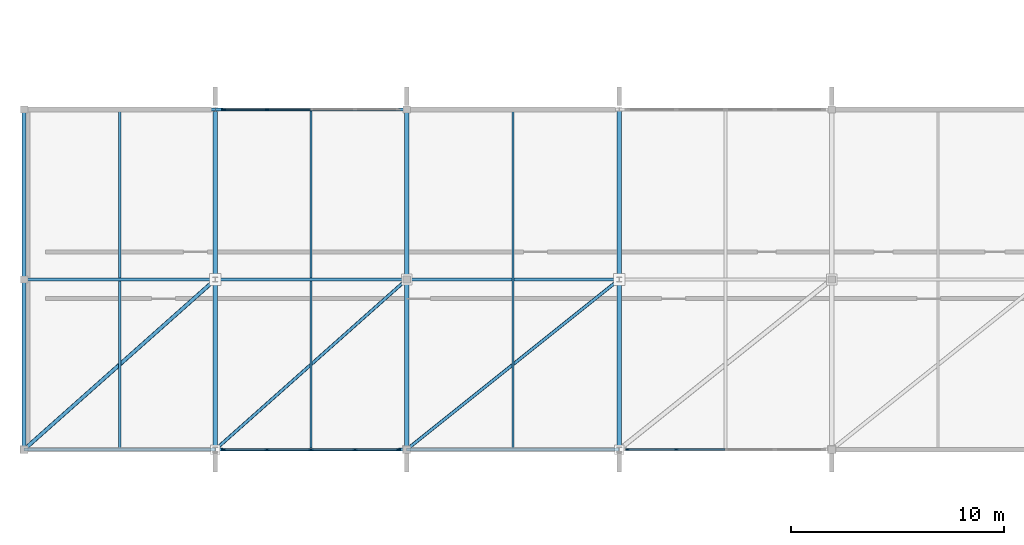
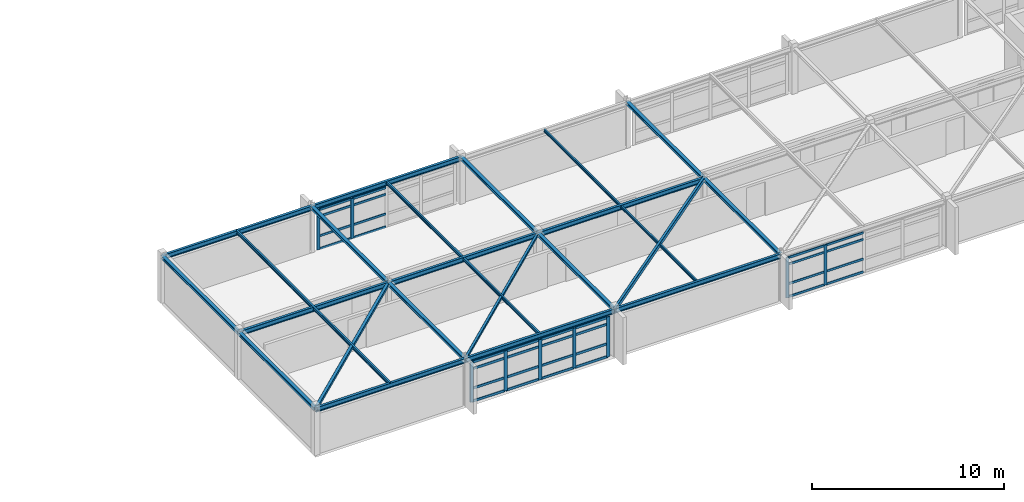
# One storey, part 10 of 83: 44 members, 19 beams, 3 elements without a shape of their own.
"""IFC4 building model written with IfcOpenShell, lengths in metres."""

from ifc_helpers import new_model, si_unit, direction, frame, origin, origin_2d, place, context, subcontext, project, spatial, rectangle, hollow_rectangle, i_section, extrude, material, material_profile, profile_set, type_object, element, aggregate, save


model = new_model("IFC4")

# Units and contexts
model_context = context("Model", 3, precision=1e-05, world=origin(), true_north=direction((0.0, 1.0)))
body_context = subcontext(model_context, "Body", "Model", "MODEL_VIEW")
ifc_project = project(units=[si_unit("LENGTHUNIT", "METRE"), si_unit("AREAUNIT", "SQUARE_METRE"), si_unit("VOLUMEUNIT", "CUBIC_METRE"), si_unit("PLANEANGLEUNIT", "RADIAN"), si_unit("MASSUNIT", "GRAM", prefix="KILO")], contexts=[model_context])

# Site, building, storey
site_placement = place(None, origin())
site = spatial("IfcSite", under=ifc_project, at=site_placement, CompositionType="ELEMENT")
building_placement = place(site_placement, origin())
building = spatial("IfcBuilding", under=site, at=building_placement, Name="Zimvara Arc Housing Community", CompositionType="ELEMENT")
storey_placement = place(building_placement, frame((0.0, 0.0, 4.5)))
storey = spatial("IfcBuildingStorey", under=building, at=storey_placement, Name="L01", CompositionType="ELEMENT", Elevation=4.5)

# Beams
ifc_material_1 = material(Name="Steel S355", Category="steel")
ifc_material_profile_1 = material_profile(ifc_material_1, i_section(OverallWidth=0.199951171875, OverallDepth=0.18994140625, WebThickness=0.006591796875, FlangeThickness=0.010009765625, FilletRadius=0.01806640625, at=origin_2d()), Name="HEA 200")
ifc_profile_set_1 = profile_set([ifc_material_profile_1], Name="Steel S355")
beam_type_1 = type_object("IfcBeamType", Name="BM-ST-HEA200", PredefinedType="BEAM", material=ifc_profile_set_1)
for number, where, z_axis, x_axis, name in (
    (1, (0.0, 3.60009765625, 2.85498046875), (0.0, 1.0, 0.0), (-1.0, 0.0, 0.0), "bm:shops:L01:y:x0:b0"),
    (2, (0.0, 11.60009765625, 2.85498046875), (0.0, 1.0, 0.0), (-1.0, 0.0, 0.0), "bm:shops:L01:y:x0:b1"),
    (3, (9.0, 3.60009765625, 2.85498046875), (0.0, 1.0, 0.0), (-1.0, 0.0, 0.0), "bm:shops:L01:y:x1:b0"),
    (4, (9.0, 11.60009765625, 2.85498046875), (0.0, 1.0, 0.0), (-1.0, 0.0, 0.0), "bm:shops:L01:y:x1:b1"),
    (5, (18.0, 3.60009765625, 2.85498046875), (0.0, 1.0, 0.0), (-1.0, 0.0, 0.0), "bm:shops:L01:y:x2:b0"),
    (6, (18.0, 11.60009765625, 2.85498046875), (0.0, 1.0, 0.0), (-1.0, 0.0, 0.0), "bm:shops:L01:y:x2:b1"),
    (7, (28.0, 3.60009765625, 2.85498046875), (0.0, 1.0, 0.0), (-1.0, 0.0, 0.0), "bm:shops:L01:y:x3:b0"),
    (8, (28.0, 11.60009765625, 2.85498046875), (0.0, 1.0, 0.0), (-1.0, 0.0, 0.0), "bm:shops:L01:y:x3:b1"),
):
    element("IfcBeam", number, at=place(storey_placement, frame(where, z_axis=z_axis, x_axis=x_axis)), inside=storey, type_object=beam_type_1, Name=name, PredefinedType="BEAM", context=body_context, shape_type="SweptSolid", body=[
        extrude(i_section(OverallWidth=0.199951171875, OverallDepth=0.18994140625, WebThickness=0.006591796875, FlangeThickness=0.010009765625, FilletRadius=0.01806640625, at=origin_2d()), origin(), (0.0, 0.0, 1.0), 8.0),
    ])
ifc_material_2 = material(Name="Steel S355", Category="steel")
ifc_material_profile_2 = material_profile(ifc_material_2, i_section(OverallWidth=0.091064453125, OverallDepth=0.179931640625, WebThickness=0.00537109375, FlangeThickness=0.008056640625, FilletRadius=0.009033203125, at=origin_2d()), Name="IPE 180")
ifc_profile_set_2 = profile_set([ifc_material_profile_2], Name="Steel S355")
beam_type_2 = type_object("IfcBeamType", Name="BM-ST-IPE180", PredefinedType="JOIST", material=ifc_profile_set_2)
beam_1_placement = place(storey_placement, frame((23.0, 3.60009765625, 2.85009765625), z_axis=(0.0, 1.0, 0.0), x_axis=(-1.0, 0.0, 0.0)))
element("IfcBeam", 9, at=beam_1_placement, inside=storey, type_object=beam_type_2, Name="bm:shops:L01:joist:b2", PredefinedType="JOIST", context=body_context, shape_type="SweptSolid", body=[
    extrude(i_section(OverallWidth=0.091064453125, OverallDepth=0.179931640625, WebThickness=0.00537109375, FlangeThickness=0.008056640625, FilletRadius=0.009033203125, at=origin_2d()), origin(), (0.0, 0.0, 1.0), 16.0),
])
ifc_material_3 = material(Name="Steel S355", Category="steel")
ifc_material_profile_3 = material_profile(ifc_material_3, i_section(OverallWidth=0.10009765625, OverallDepth=0.199951171875, WebThickness=0.005615234375, FlangeThickness=0.008544921875, FilletRadius=0.011962890625, at=origin_2d()), Name="IPE 200")
ifc_profile_set_3 = profile_set([ifc_material_profile_3], Name="Steel S355")
beam_type_3 = type_object("IfcBeamType", Name="BM-ST-IPE200", PredefinedType="JOIST", material=ifc_profile_set_3)
beam_2_placement = place(storey_placement, frame((13.5, 3.60009765625, 2.85009765625), z_axis=(0.0, 1.0, 0.0), x_axis=(-1.0, 0.0, 0.0)))
element("IfcBeam", 10, at=beam_2_placement, inside=storey, type_object=beam_type_3, Name="bm:shops:L01:joist:b1", PredefinedType="JOIST", context=body_context, shape_type="SweptSolid", body=[
    extrude(i_section(OverallWidth=0.10009765625, OverallDepth=0.199951171875, WebThickness=0.005615234375, FlangeThickness=0.008544921875, FilletRadius=0.011962890625, at=origin_2d()), origin(), (0.0, 0.0, 1.0), 16.0),
])
ifc_material_4 = material(Name="Steel S355", Category="steel")
ifc_material_profile_4 = material_profile(ifc_material_4, i_section(OverallWidth=0.110107421875, OverallDepth=0.219970703125, WebThickness=0.005859375, FlangeThickness=0.00927734375, FilletRadius=0.011962890625, at=origin_2d()), Name="IPE 220")
ifc_profile_set_4 = profile_set([ifc_material_profile_4], Name="Steel S355")
beam_type_4 = type_object("IfcBeamType", Name="BM-ST-IPE220", PredefinedType="JOIST", material=ifc_profile_set_4)
beam_3_placement = place(storey_placement, frame((4.5, 3.60009765625, 2.85009765625), z_axis=(0.0, 1.0, 0.0), x_axis=(-1.0, 0.0, 0.0)))
element("IfcBeam", 11, at=beam_3_placement, inside=storey, type_object=beam_type_4, Name="bm:shops:L01:joist:b0", PredefinedType="JOIST", context=body_context, shape_type="SweptSolid", body=[
    extrude(i_section(OverallWidth=0.110107421875, OverallDepth=0.219970703125, WebThickness=0.005859375, FlangeThickness=0.00927734375, FilletRadius=0.011962890625, at=origin_2d()), origin(), (0.0, 0.0, 1.0), 16.0),
])
ifc_material_5 = material(Name="Steel S355", Category="steel")
ifc_material_profile_5 = material_profile(ifc_material_5, i_section(OverallWidth=0.14990234375, OverallDepth=0.300048828125, WebThickness=0.007080078125, FlangeThickness=0.0107421875, FilletRadius=0.014892578125, at=origin_2d()), Name="IPE 300")
ifc_profile_set_5 = profile_set([ifc_material_profile_5], Name="Steel S355")
beam_type_5 = type_object("IfcBeamType", Name="BM-ST-IPE300", PredefinedType="BEAM", material=ifc_profile_set_5)
for number, where, z_axis, x_axis, name in (
    (12, (0.0, 3.60009765625, 2.800048828125), (1.0, 0.0, 0.0), (0.0, 1.0, 0.0), "bm:shops:L01:x:y0:b0"),
    (13, (9.0, 3.60009765625, 2.800048828125), (1.0, 0.0, 0.0), (0.0, 1.0, 0.0), "bm:shops:L01:x:y0:b1"),
):
    element("IfcBeam", number, at=place(storey_placement, frame(where, z_axis=z_axis, x_axis=x_axis)), inside=storey, type_object=beam_type_5, Name=name, PredefinedType="BEAM", context=body_context, shape_type="SweptSolid", body=[
        extrude(i_section(OverallWidth=0.14990234375, OverallDepth=0.300048828125, WebThickness=0.007080078125, FlangeThickness=0.0107421875, FilletRadius=0.014892578125, at=origin_2d()), origin(), (0.0, 0.0, 1.0), 9.0),
    ])
beam_4_placement = place(storey_placement, frame((18.0, 3.60009765625, 2.800048828125), z_axis=(1.0, 0.0, 0.0), x_axis=(0.0, 1.0, 0.0)))
element("IfcBeam", 14, at=beam_4_placement, inside=storey, type_object=beam_type_5, Name="bm:shops:L01:x:y0:b2", PredefinedType="BEAM", context=body_context, shape_type="SweptSolid", body=[
    extrude(i_section(OverallWidth=0.14990234375, OverallDepth=0.300048828125, WebThickness=0.007080078125, FlangeThickness=0.0107421875, FilletRadius=0.014892578125, at=origin_2d()), origin(), (0.0, 0.0, 1.0), 10.0),
])
for number, where, z_axis, x_axis, name in (
    (15, (0.0, 11.60009765625, 2.800048828125), (1.0, 0.0, 0.0), (0.0, 1.0, 0.0), "bm:shops:L01:x:y1:b0"),
    (16, (9.0, 11.60009765625, 2.800048828125), (1.0, 0.0, 0.0), (0.0, 1.0, 0.0), "bm:shops:L01:x:y1:b1"),
):
    element("IfcBeam", number, at=place(storey_placement, frame(where, z_axis=z_axis, x_axis=x_axis)), inside=storey, type_object=beam_type_5, Name=name, PredefinedType="BEAM", context=body_context, shape_type="SweptSolid", body=[
        extrude(i_section(OverallWidth=0.14990234375, OverallDepth=0.300048828125, WebThickness=0.007080078125, FlangeThickness=0.0107421875, FilletRadius=0.014892578125, at=origin_2d()), origin(), (0.0, 0.0, 1.0), 9.0),
    ])
beam_5_placement = place(storey_placement, frame((18.0, 11.60009765625, 2.800048828125), z_axis=(1.0, 0.0, 0.0), x_axis=(0.0, 1.0, 0.0)))
element("IfcBeam", 17, at=beam_5_placement, inside=storey, type_object=beam_type_5, Name="bm:shops:L01:x:y1:b2", PredefinedType="BEAM", context=body_context, shape_type="SweptSolid", body=[
    extrude(i_section(OverallWidth=0.14990234375, OverallDepth=0.300048828125, WebThickness=0.007080078125, FlangeThickness=0.0107421875, FilletRadius=0.014892578125, at=origin_2d()), origin(), (0.0, 0.0, 1.0), 10.0),
])
for number, where, z_axis, x_axis, name in (
    (18, (0.0, 19.60009765625, 2.800048828125), (1.0, 0.0, 0.0), (0.0, 1.0, 0.0), "bm:shops:L01:x:y2:b0"),
    (19, (9.0, 19.60009765625, 2.800048828125), (1.0, 0.0, 0.0), (0.0, 1.0, 0.0), "bm:shops:L01:x:y2:b1"),
):
    element("IfcBeam", number, at=place(storey_placement, frame(where, z_axis=z_axis, x_axis=x_axis)), inside=storey, type_object=beam_type_5, Name=name, PredefinedType="BEAM", context=body_context, shape_type="SweptSolid", body=[
        extrude(i_section(OverallWidth=0.14990234375, OverallDepth=0.300048828125, WebThickness=0.007080078125, FlangeThickness=0.0107421875, FilletRadius=0.014892578125, at=origin_2d()), origin(), (0.0, 0.0, 1.0), 9.0),
    ])

# Curtain wall, members
ifc_material_6 = material(Name="Anodised Aluminium AW-6063", Category="aluminium")
curtain_wall_type_1 = type_object("IfcCurtainWallType", Name="CW-SYS-08", PredefinedType="USERDEFINED", material=ifc_material_6)
curtain_wall_1_placement = place(storey_placement, origin())
curtain_wall_1 = element("IfcCurtainWall", 20, at=curtain_wall_1_placement, inside=storey, type_object=curtain_wall_type_1, Name="cw:shops:L01:south:b3", ObjectType="CURTAIN WALL", PredefinedType="USERDEFINED")
ifc_material_7 = material(Name="Anodised Aluminium AW-6063", Category="aluminium")
ifc_material_profile_6 = material_profile(ifc_material_7, rectangle(XDim=0.06494140625, YDim=0.179931640625, at=origin_2d()), Name="ALU 65x180")
ifc_profile_set_6 = profile_set([ifc_material_profile_6], Name="Anodised Aluminium AW-6063")
member_type_1 = type_object("IfcMemberType", Name="CWM-65x150", PredefinedType="MULLION", material=ifc_profile_set_6)
member_1_placement = place(storey_placement, frame((28.392578125, 3.60009765625, 0.0), z_axis=(0.0, 0.0, 1.0), x_axis=(0.0, 1.0, 0.0)))
member_1 = element("IfcMember", 21, at=member_1_placement, type_object=member_type_1, Name="CW08 mullion 1", PredefinedType="MULLION", context=body_context, shape_type="SweptSolid", body=[
    extrude(rectangle(XDim=0.06494140625, YDim=0.179931640625, at=origin_2d()), origin(), (0.0, 0.0, 1.0), 2.550048828125),
])
member_2_placement = place(storey_placement, frame((30.679931640625, 3.60009765625, 0.0), z_axis=(0.0, 0.0, 1.0), x_axis=(0.0, 1.0, 0.0)))
member_2 = element("IfcMember", 22, at=member_2_placement, type_object=member_type_1, Name="CW08 mullion 2", PredefinedType="MULLION", context=body_context, shape_type="SweptSolid", body=[
    extrude(rectangle(XDim=0.06494140625, YDim=0.179931640625, at=origin_2d()), origin(), (0.0, 0.0, 1.0), 2.550048828125),
])

ifc_material_8 = material(Name="Anodised Aluminium AW-6063", Category="aluminium")
curtain_wall_type_2 = type_object("IfcCurtainWallType", Name="CW-SYS-02", PredefinedType="USERDEFINED", material=ifc_material_8)
curtain_wall_2_placement = place(storey_placement, origin())
curtain_wall_2 = element("IfcCurtainWall", 23, at=curtain_wall_2_placement, inside=storey, type_object=curtain_wall_type_2, Name="cw:shops:L01:north:b1", ObjectType="CURTAIN WALL", PredefinedType="USERDEFINED")
member_3_placement = place(storey_placement, frame((9.392578125, 19.60009765625, 0.0), z_axis=(0.0, 0.0, 1.0), x_axis=(0.0, 1.0, 0.0)))
member_3 = element("IfcMember", 24, at=member_3_placement, type_object=member_type_1, Name="CW02 mullion 1", PredefinedType="MULLION", context=body_context, shape_type="SweptSolid", body=[
    extrude(rectangle(XDim=0.06494140625, YDim=0.179931640625, at=origin_2d()), origin(), (0.0, 0.0, 1.0), 2.550048828125),
])
member_4_placement = place(storey_placement, frame((11.429931640625, 19.60009765625, 0.0), z_axis=(0.0, 0.0, 1.0), x_axis=(0.0, 1.0, 0.0)))
member_4 = element("IfcMember", 25, at=member_4_placement, type_object=member_type_1, Name="CW02 mullion 2", PredefinedType="MULLION", context=body_context, shape_type="SweptSolid", body=[
    extrude(rectangle(XDim=0.06494140625, YDim=0.179931640625, at=origin_2d()), origin(), (0.0, 0.0, 1.0), 2.550048828125),
])

ifc_material_9 = material(Name="Anodised Aluminium AW-6063", Category="aluminium")
curtain_wall_type_3 = type_object("IfcCurtainWallType", Name="CW-SYS-07", PredefinedType="USERDEFINED", material=ifc_material_9)
curtain_wall_3_placement = place(storey_placement, origin())
curtain_wall_3 = element("IfcCurtainWall", 26, at=curtain_wall_3_placement, inside=storey, type_object=curtain_wall_type_3, Name="cw:shops:L01:south:b1", ObjectType="CURTAIN WALL", PredefinedType="USERDEFINED")
ifc_material_10 = material(Name="Anodised Aluminium AW-6063", Category="aluminium")
ifc_material_profile_7 = material_profile(ifc_material_10, rectangle(XDim=0.06494140625, YDim=0.195068359375, at=origin_2d()), Name="ALU 65x195")
ifc_profile_set_7 = profile_set([ifc_material_profile_7], Name="Anodised Aluminium AW-6063")
member_type_2 = type_object("IfcMemberType", Name="CWM-65x180", PredefinedType="MULLION", material=ifc_profile_set_7)
member_5_placement = place(storey_placement, frame((9.392578125, 3.60009765625, 0.0), z_axis=(0.0, 0.0, 1.0), x_axis=(0.0, 1.0, 0.0)))
member_5 = element("IfcMember", 27, at=member_5_placement, type_object=member_type_2, Name="CW07 mullion 1", PredefinedType="MULLION", context=body_context, shape_type="SweptSolid", body=[
    extrude(rectangle(XDim=0.06494140625, YDim=0.195068359375, at=origin_2d()), origin(), (0.0, 0.0, 1.0), 2.550048828125),
])
member_6_placement = place(storey_placement, frame((11.429931640625, 3.60009765625, 0.0), z_axis=(0.0, 0.0, 1.0), x_axis=(0.0, 1.0, 0.0)))
member_6 = element("IfcMember", 28, at=member_6_placement, type_object=member_type_2, Name="CW07 mullion 2", PredefinedType="MULLION", context=body_context, shape_type="SweptSolid", body=[
    extrude(rectangle(XDim=0.06494140625, YDim=0.195068359375, at=origin_2d()), origin(), (0.0, 0.0, 1.0), 2.550048828125),
])
member_7_placement = place(storey_placement, frame((13.5, 3.60009765625, 0.0), z_axis=(0.0, 0.0, 1.0), x_axis=(0.0, 1.0, 0.0)))
member_7 = element("IfcMember", 29, at=member_7_placement, type_object=member_type_2, Name="CW07 mullion 3", PredefinedType="MULLION", context=body_context, shape_type="SweptSolid", body=[
    extrude(rectangle(XDim=0.06494140625, YDim=0.195068359375, at=origin_2d()), origin(), (0.0, 0.0, 1.0), 2.550048828125),
])
member_8_placement = place(storey_placement, frame((15.570068359375, 3.60009765625, 0.0), z_axis=(0.0, 0.0, 1.0), x_axis=(0.0, 1.0, 0.0)))
member_8 = element("IfcMember", 30, at=member_8_placement, type_object=member_type_2, Name="CW07 mullion 4", PredefinedType="MULLION", context=body_context, shape_type="SweptSolid", body=[
    extrude(rectangle(XDim=0.06494140625, YDim=0.195068359375, at=origin_2d()), origin(), (0.0, 0.0, 1.0), 2.550048828125),
])
member_9_placement = place(storey_placement, frame((17.607421875, 3.60009765625, 0.0), z_axis=(0.0, 0.0, 1.0), x_axis=(0.0, 1.0, 0.0)))
member_9 = element("IfcMember", 31, at=member_9_placement, type_object=member_type_2, Name="CW07 mullion 5", PredefinedType="MULLION", context=body_context, shape_type="SweptSolid", body=[
    extrude(rectangle(XDim=0.06494140625, YDim=0.195068359375, at=origin_2d()), origin(), (0.0, 0.0, 1.0), 2.550048828125),
])

# Member
ifc_material_11 = material(Name="Anodised Aluminium AW-6063", Category="aluminium")
ifc_material_profile_8 = material_profile(ifc_material_11, rectangle(XDim=0.06494140625, YDim=0.139892578125, at=origin_2d()), Name="ALU 65x140")
ifc_profile_set_8 = profile_set([ifc_material_profile_8], Name="Anodised Aluminium AW-6063")
member_type_3 = type_object("IfcMemberType", Name="CWT-65x120", PredefinedType="USERDEFINED", material=ifc_profile_set_8)
member_10_placement = place(storey_placement, frame((28.425048828125, 3.60009765625, 0.032470703125), z_axis=(1.0, 0.0, 0.0), x_axis=(0.0, 1.0, 0.0)))
member_10 = element("IfcMember", 32, at=member_10_placement, type_object=member_type_3, Name="CW08 transom 1.1", ObjectType="TRANSOM", PredefinedType="USERDEFINED", context=body_context, shape_type="SweptSolid", body=[
    extrude(rectangle(XDim=0.06494140625, YDim=0.139892578125, at=origin_2d()), origin(), (0.0, 0.0, 1.0), 2.222412109375),
])

member_11_placement = place(storey_placement, frame((28.425048828125, 3.60009765625, 0.85009765625), z_axis=(1.0, 0.0, 0.0), x_axis=(0.0, 1.0, 0.0)))
member_11 = element("IfcMember", 33, at=member_11_placement, type_object=member_type_3, Name="CW08 transom 1.2", ObjectType="TRANSOM", PredefinedType="USERDEFINED", context=body_context, shape_type="SweptSolid", body=[
    extrude(rectangle(XDim=0.06494140625, YDim=0.139892578125, at=origin_2d()), origin(), (0.0, 0.0, 1.0), 2.222412109375),
])

member_12_placement = place(storey_placement, frame((28.425048828125, 3.60009765625, 2.10009765625), z_axis=(1.0, 0.0, 0.0), x_axis=(0.0, 1.0, 0.0)))
member_12 = element("IfcMember", 34, at=member_12_placement, type_object=member_type_3, Name="CW08 transom 1.3", ObjectType="TRANSOM", PredefinedType="USERDEFINED", context=body_context, shape_type="SweptSolid", body=[
    extrude(rectangle(XDim=0.06494140625, YDim=0.139892578125, at=origin_2d()), origin(), (0.0, 0.0, 1.0), 2.222412109375),
])

member_13_placement = place(storey_placement, frame((28.425048828125, 3.60009765625, 2.517578125), z_axis=(1.0, 0.0, 0.0), x_axis=(0.0, 1.0, 0.0)))
member_13 = element("IfcMember", 35, at=member_13_placement, type_object=member_type_3, Name="CW08 transom 1.4", ObjectType="TRANSOM", PredefinedType="USERDEFINED", context=body_context, shape_type="SweptSolid", body=[
    extrude(rectangle(XDim=0.06494140625, YDim=0.139892578125, at=origin_2d()), origin(), (0.0, 0.0, 1.0), 2.222412109375),
])

member_14_placement = place(storey_placement, frame((30.71240234375, 3.60009765625, 0.032470703125), z_axis=(1.0, 0.0, 0.0), x_axis=(0.0, 1.0, 0.0)))
member_14 = element("IfcMember", 36, at=member_14_placement, type_object=member_type_3, Name="CW08 transom 2.1", ObjectType="TRANSOM", PredefinedType="USERDEFINED", context=body_context, shape_type="SweptSolid", body=[
    extrude(rectangle(XDim=0.06494140625, YDim=0.139892578125, at=origin_2d()), origin(), (0.0, 0.0, 1.0), 2.255126953125),
])

member_15_placement = place(storey_placement, frame((30.71240234375, 3.60009765625, 0.85009765625), z_axis=(1.0, 0.0, 0.0), x_axis=(0.0, 1.0, 0.0)))
member_15 = element("IfcMember", 37, at=member_15_placement, type_object=member_type_3, Name="CW08 transom 2.2", ObjectType="TRANSOM", PredefinedType="USERDEFINED", context=body_context, shape_type="SweptSolid", body=[
    extrude(rectangle(XDim=0.06494140625, YDim=0.139892578125, at=origin_2d()), origin(), (0.0, 0.0, 1.0), 2.255126953125),
])

member_16_placement = place(storey_placement, frame((30.71240234375, 3.60009765625, 2.10009765625), z_axis=(1.0, 0.0, 0.0), x_axis=(0.0, 1.0, 0.0)))
member_16 = element("IfcMember", 38, at=member_16_placement, type_object=member_type_3, Name="CW08 transom 2.3", ObjectType="TRANSOM", PredefinedType="USERDEFINED", context=body_context, shape_type="SweptSolid", body=[
    extrude(rectangle(XDim=0.06494140625, YDim=0.139892578125, at=origin_2d()), origin(), (0.0, 0.0, 1.0), 2.255126953125),
])

member_17_placement = place(storey_placement, frame((30.71240234375, 3.60009765625, 2.517578125), z_axis=(1.0, 0.0, 0.0), x_axis=(0.0, 1.0, 0.0)))
member_17 = element("IfcMember", 39, at=member_17_placement, type_object=member_type_3, Name="CW08 transom 2.4", ObjectType="TRANSOM", PredefinedType="USERDEFINED", context=body_context, shape_type="SweptSolid", body=[
    extrude(rectangle(XDim=0.06494140625, YDim=0.139892578125, at=origin_2d()), origin(), (0.0, 0.0, 1.0), 2.255126953125),
])

aggregate(curtain_wall_1, [member_1, member_2, member_10, member_11, member_12, member_13, member_14, member_15, member_16, member_17])

member_18_placement = place(storey_placement, frame((9.425048828125, 19.60009765625, 0.032470703125), z_axis=(1.0, 0.0, 0.0), x_axis=(0.0, 1.0, 0.0)))
member_18 = element("IfcMember", 40, at=member_18_placement, type_object=member_type_3, Name="CW02 transom 1.1", ObjectType="TRANSOM", PredefinedType="USERDEFINED", context=body_context, shape_type="SweptSolid", body=[
    extrude(rectangle(XDim=0.06494140625, YDim=0.139892578125, at=origin_2d()), origin(), (0.0, 0.0, 1.0), 1.972412109375),
])

member_19_placement = place(storey_placement, frame((9.425048828125, 19.60009765625, 0.85009765625), z_axis=(1.0, 0.0, 0.0), x_axis=(0.0, 1.0, 0.0)))
member_19 = element("IfcMember", 41, at=member_19_placement, type_object=member_type_3, Name="CW02 transom 1.2", ObjectType="TRANSOM", PredefinedType="USERDEFINED", context=body_context, shape_type="SweptSolid", body=[
    extrude(rectangle(XDim=0.06494140625, YDim=0.139892578125, at=origin_2d()), origin(), (0.0, 0.0, 1.0), 1.972412109375),
])

member_20_placement = place(storey_placement, frame((9.425048828125, 19.60009765625, 2.10009765625), z_axis=(1.0, 0.0, 0.0), x_axis=(0.0, 1.0, 0.0)))
member_20 = element("IfcMember", 42, at=member_20_placement, type_object=member_type_3, Name="CW02 transom 1.3", ObjectType="TRANSOM", PredefinedType="USERDEFINED", context=body_context, shape_type="SweptSolid", body=[
    extrude(rectangle(XDim=0.06494140625, YDim=0.139892578125, at=origin_2d()), origin(), (0.0, 0.0, 1.0), 1.972412109375),
])

member_21_placement = place(storey_placement, frame((9.425048828125, 19.60009765625, 2.517578125), z_axis=(1.0, 0.0, 0.0), x_axis=(0.0, 1.0, 0.0)))
member_21 = element("IfcMember", 43, at=member_21_placement, type_object=member_type_3, Name="CW02 transom 1.4", ObjectType="TRANSOM", PredefinedType="USERDEFINED", context=body_context, shape_type="SweptSolid", body=[
    extrude(rectangle(XDim=0.06494140625, YDim=0.139892578125, at=origin_2d()), origin(), (0.0, 0.0, 1.0), 1.972412109375),
])

member_22_placement = place(storey_placement, frame((11.46240234375, 19.60009765625, 0.032470703125), z_axis=(1.0, 0.0, 0.0), x_axis=(0.0, 1.0, 0.0)))
member_22 = element("IfcMember", 44, at=member_22_placement, type_object=member_type_3, Name="CW02 transom 2.1", ObjectType="TRANSOM", PredefinedType="USERDEFINED", context=body_context, shape_type="SweptSolid", body=[
    extrude(rectangle(XDim=0.06494140625, YDim=0.139892578125, at=origin_2d()), origin(), (0.0, 0.0, 1.0), 2.005126953125),
])

member_23_placement = place(storey_placement, frame((11.46240234375, 19.60009765625, 0.85009765625), z_axis=(1.0, 0.0, 0.0), x_axis=(0.0, 1.0, 0.0)))
member_23 = element("IfcMember", 45, at=member_23_placement, type_object=member_type_3, Name="CW02 transom 2.2", ObjectType="TRANSOM", PredefinedType="USERDEFINED", context=body_context, shape_type="SweptSolid", body=[
    extrude(rectangle(XDim=0.06494140625, YDim=0.139892578125, at=origin_2d()), origin(), (0.0, 0.0, 1.0), 2.005126953125),
])

member_24_placement = place(storey_placement, frame((11.46240234375, 19.60009765625, 2.10009765625), z_axis=(1.0, 0.0, 0.0), x_axis=(0.0, 1.0, 0.0)))
member_24 = element("IfcMember", 46, at=member_24_placement, type_object=member_type_3, Name="CW02 transom 2.3", ObjectType="TRANSOM", PredefinedType="USERDEFINED", context=body_context, shape_type="SweptSolid", body=[
    extrude(rectangle(XDim=0.06494140625, YDim=0.139892578125, at=origin_2d()), origin(), (0.0, 0.0, 1.0), 2.005126953125),
])

member_25_placement = place(storey_placement, frame((11.46240234375, 19.60009765625, 2.517578125), z_axis=(1.0, 0.0, 0.0), x_axis=(0.0, 1.0, 0.0)))
member_25 = element("IfcMember", 47, at=member_25_placement, type_object=member_type_3, Name="CW02 transom 2.4", ObjectType="TRANSOM", PredefinedType="USERDEFINED", context=body_context, shape_type="SweptSolid", body=[
    extrude(rectangle(XDim=0.06494140625, YDim=0.139892578125, at=origin_2d()), origin(), (0.0, 0.0, 1.0), 2.005126953125),
])

aggregate(curtain_wall_2, [member_3, member_4, member_18, member_19, member_20, member_21, member_22, member_23, member_24, member_25])

ifc_material_12 = material(Name="Anodised Aluminium AW-6063", Category="aluminium")
ifc_material_profile_9 = material_profile(ifc_material_12, rectangle(XDim=0.06494140625, YDim=0.155029296875, at=origin_2d()), Name="ALU 65x155")
ifc_profile_set_9 = profile_set([ifc_material_profile_9], Name="Anodised Aluminium AW-6063")
member_type_4 = type_object("IfcMemberType", Name="CWT-65x140", PredefinedType="USERDEFINED", material=ifc_profile_set_9)
member_26_placement = place(storey_placement, frame((9.425048828125, 3.60009765625, 0.032470703125), z_axis=(1.0, 0.0, 0.0), x_axis=(0.0, 1.0, 0.0)))
member_26 = element("IfcMember", 48, at=member_26_placement, type_object=member_type_4, Name="CW07 transom 1.1", ObjectType="TRANSOM", PredefinedType="USERDEFINED", context=body_context, shape_type="SweptSolid", body=[
    extrude(rectangle(XDim=0.06494140625, YDim=0.155029296875, at=origin_2d()), origin(), (0.0, 0.0, 1.0), 1.972412109375),
])

member_27_placement = place(storey_placement, frame((9.425048828125, 3.60009765625, 0.85009765625), z_axis=(1.0, 0.0, 0.0), x_axis=(0.0, 1.0, 0.0)))
member_27 = element("IfcMember", 49, at=member_27_placement, type_object=member_type_4, Name="CW07 transom 1.2", ObjectType="TRANSOM", PredefinedType="USERDEFINED", context=body_context, shape_type="SweptSolid", body=[
    extrude(rectangle(XDim=0.06494140625, YDim=0.155029296875, at=origin_2d()), origin(), (0.0, 0.0, 1.0), 1.972412109375),
])

member_28_placement = place(storey_placement, frame((9.425048828125, 3.60009765625, 2.10009765625), z_axis=(1.0, 0.0, 0.0), x_axis=(0.0, 1.0, 0.0)))
member_28 = element("IfcMember", 50, at=member_28_placement, type_object=member_type_4, Name="CW07 transom 1.3", ObjectType="TRANSOM", PredefinedType="USERDEFINED", context=body_context, shape_type="SweptSolid", body=[
    extrude(rectangle(XDim=0.06494140625, YDim=0.155029296875, at=origin_2d()), origin(), (0.0, 0.0, 1.0), 1.972412109375),
])

member_29_placement = place(storey_placement, frame((9.425048828125, 3.60009765625, 2.517578125), z_axis=(1.0, 0.0, 0.0), x_axis=(0.0, 1.0, 0.0)))
member_29 = element("IfcMember", 51, at=member_29_placement, type_object=member_type_4, Name="CW07 transom 1.4", ObjectType="TRANSOM", PredefinedType="USERDEFINED", context=body_context, shape_type="SweptSolid", body=[
    extrude(rectangle(XDim=0.06494140625, YDim=0.155029296875, at=origin_2d()), origin(), (0.0, 0.0, 1.0), 1.972412109375),
])

member_30_placement = place(storey_placement, frame((11.46240234375, 3.60009765625, 0.032470703125), z_axis=(1.0, 0.0, 0.0), x_axis=(0.0, 1.0, 0.0)))
member_30 = element("IfcMember", 52, at=member_30_placement, type_object=member_type_4, Name="CW07 transom 2.1", ObjectType="TRANSOM", PredefinedType="USERDEFINED", context=body_context, shape_type="SweptSolid", body=[
    extrude(rectangle(XDim=0.06494140625, YDim=0.155029296875, at=origin_2d()), origin(), (0.0, 0.0, 1.0), 2.005126953125),
])

member_31_placement = place(storey_placement, frame((11.46240234375, 3.60009765625, 0.85009765625), z_axis=(1.0, 0.0, 0.0), x_axis=(0.0, 1.0, 0.0)))
member_31 = element("IfcMember", 53, at=member_31_placement, type_object=member_type_4, Name="CW07 transom 2.2", ObjectType="TRANSOM", PredefinedType="USERDEFINED", context=body_context, shape_type="SweptSolid", body=[
    extrude(rectangle(XDim=0.06494140625, YDim=0.155029296875, at=origin_2d()), origin(), (0.0, 0.0, 1.0), 2.005126953125),
])

member_32_placement = place(storey_placement, frame((11.46240234375, 3.60009765625, 2.10009765625), z_axis=(1.0, 0.0, 0.0), x_axis=(0.0, 1.0, 0.0)))
member_32 = element("IfcMember", 54, at=member_32_placement, type_object=member_type_4, Name="CW07 transom 2.3", ObjectType="TRANSOM", PredefinedType="USERDEFINED", context=body_context, shape_type="SweptSolid", body=[
    extrude(rectangle(XDim=0.06494140625, YDim=0.155029296875, at=origin_2d()), origin(), (0.0, 0.0, 1.0), 2.005126953125),
])

member_33_placement = place(storey_placement, frame((11.46240234375, 3.60009765625, 2.517578125), z_axis=(1.0, 0.0, 0.0), x_axis=(0.0, 1.0, 0.0)))
member_33 = element("IfcMember", 55, at=member_33_placement, type_object=member_type_4, Name="CW07 transom 2.4", ObjectType="TRANSOM", PredefinedType="USERDEFINED", context=body_context, shape_type="SweptSolid", body=[
    extrude(rectangle(XDim=0.06494140625, YDim=0.155029296875, at=origin_2d()), origin(), (0.0, 0.0, 1.0), 2.005126953125),
])

member_34_placement = place(storey_placement, frame((13.532470703125, 3.60009765625, 0.032470703125), z_axis=(1.0, 0.0, 0.0), x_axis=(0.0, 1.0, 0.0)))
member_34 = element("IfcMember", 56, at=member_34_placement, type_object=member_type_4, Name="CW07 transom 3.1", ObjectType="TRANSOM", PredefinedType="USERDEFINED", context=body_context, shape_type="SweptSolid", body=[
    extrude(rectangle(XDim=0.06494140625, YDim=0.155029296875, at=origin_2d()), origin(), (0.0, 0.0, 1.0), 2.005126953125),
])

member_35_placement = place(storey_placement, frame((13.532470703125, 3.60009765625, 0.85009765625), z_axis=(1.0, 0.0, 0.0), x_axis=(0.0, 1.0, 0.0)))
member_35 = element("IfcMember", 57, at=member_35_placement, type_object=member_type_4, Name="CW07 transom 3.2", ObjectType="TRANSOM", PredefinedType="USERDEFINED", context=body_context, shape_type="SweptSolid", body=[
    extrude(rectangle(XDim=0.06494140625, YDim=0.155029296875, at=origin_2d()), origin(), (0.0, 0.0, 1.0), 2.005126953125),
])

member_36_placement = place(storey_placement, frame((13.532470703125, 3.60009765625, 2.10009765625), z_axis=(1.0, 0.0, 0.0), x_axis=(0.0, 1.0, 0.0)))
member_36 = element("IfcMember", 58, at=member_36_placement, type_object=member_type_4, Name="CW07 transom 3.3", ObjectType="TRANSOM", PredefinedType="USERDEFINED", context=body_context, shape_type="SweptSolid", body=[
    extrude(rectangle(XDim=0.06494140625, YDim=0.155029296875, at=origin_2d()), origin(), (0.0, 0.0, 1.0), 2.005126953125),
])

member_37_placement = place(storey_placement, frame((13.532470703125, 3.60009765625, 2.517578125), z_axis=(1.0, 0.0, 0.0), x_axis=(0.0, 1.0, 0.0)))
member_37 = element("IfcMember", 59, at=member_37_placement, type_object=member_type_4, Name="CW07 transom 3.4", ObjectType="TRANSOM", PredefinedType="USERDEFINED", context=body_context, shape_type="SweptSolid", body=[
    extrude(rectangle(XDim=0.06494140625, YDim=0.155029296875, at=origin_2d()), origin(), (0.0, 0.0, 1.0), 2.005126953125),
])

member_38_placement = place(storey_placement, frame((15.6025390625, 3.60009765625, 0.032470703125), z_axis=(1.0, 0.0, 0.0), x_axis=(0.0, 1.0, 0.0)))
member_38 = element("IfcMember", 60, at=member_38_placement, type_object=member_type_4, Name="CW07 transom 4.1", ObjectType="TRANSOM", PredefinedType="USERDEFINED", context=body_context, shape_type="SweptSolid", body=[
    extrude(rectangle(XDim=0.06494140625, YDim=0.155029296875, at=origin_2d()), origin(), (0.0, 0.0, 1.0), 1.972412109375),
])

member_39_placement = place(storey_placement, frame((15.6025390625, 3.60009765625, 0.85009765625), z_axis=(1.0, 0.0, 0.0), x_axis=(0.0, 1.0, 0.0)))
member_39 = element("IfcMember", 61, at=member_39_placement, type_object=member_type_4, Name="CW07 transom 4.2", ObjectType="TRANSOM", PredefinedType="USERDEFINED", context=body_context, shape_type="SweptSolid", body=[
    extrude(rectangle(XDim=0.06494140625, YDim=0.155029296875, at=origin_2d()), origin(), (0.0, 0.0, 1.0), 1.972412109375),
])

member_40_placement = place(storey_placement, frame((15.6025390625, 3.60009765625, 2.10009765625), z_axis=(1.0, 0.0, 0.0), x_axis=(0.0, 1.0, 0.0)))
member_40 = element("IfcMember", 62, at=member_40_placement, type_object=member_type_4, Name="CW07 transom 4.3", ObjectType="TRANSOM", PredefinedType="USERDEFINED", context=body_context, shape_type="SweptSolid", body=[
    extrude(rectangle(XDim=0.06494140625, YDim=0.155029296875, at=origin_2d()), origin(), (0.0, 0.0, 1.0), 1.972412109375),
])

member_41_placement = place(storey_placement, frame((15.6025390625, 3.60009765625, 2.517578125), z_axis=(1.0, 0.0, 0.0), x_axis=(0.0, 1.0, 0.0)))
member_41 = element("IfcMember", 63, at=member_41_placement, type_object=member_type_4, Name="CW07 transom 4.4", ObjectType="TRANSOM", PredefinedType="USERDEFINED", context=body_context, shape_type="SweptSolid", body=[
    extrude(rectangle(XDim=0.06494140625, YDim=0.155029296875, at=origin_2d()), origin(), (0.0, 0.0, 1.0), 1.972412109375),
])

aggregate(curtain_wall_3, [member_5, member_6, member_7, member_8, member_9, member_26, member_27, member_28, member_29, member_30, member_31, member_32, member_33, member_34, member_35, member_36, member_37, member_38, member_39, member_40, member_41])

# Members
ifc_material_13 = material(Name="Steel S355", Category="steel")
ifc_material_profile_10 = material_profile(ifc_material_13, hollow_rectangle(XDim=0.14990234375, YDim=0.14990234375, WallThickness=0.008056640625, InnerFilletRadius=0.008056640625, OuterFilletRadius=0.01611328125, at=origin_2d()), Name="SHS 150x150x8.0")
ifc_profile_set_10 = profile_set([ifc_material_profile_10], Name="Steel S355")
member_type_5 = type_object("IfcMemberType", Name="MB-BRACE-SHS150", PredefinedType="BRACE", material=ifc_profile_set_10)
member_42_placement = place(storey_placement, frame((9.0, 3.60009765625, 2.85009765625), z_axis=(0.747409318684, 0.66436383883, 0.0), x_axis=(-0.66436383883, 0.747409318684, 0.0)))
element("IfcMember", 64, at=member_42_placement, inside=storey, type_object=member_type_5, Name="mb:shops:L01:brace:b1", PredefinedType="BRACE", context=body_context, shape_type="SweptSolid", body=[
    extrude(hollow_rectangle(XDim=0.14990234375, YDim=0.14990234375, WallThickness=0.008056640625, InnerFilletRadius=0.008056640625, OuterFilletRadius=0.01611328125, at=origin_2d()), origin(), (0.0, 0.0, 1.0), 12.04150390625),
])
ifc_material_14 = material(Name="Steel S355", Category="steel")
ifc_material_profile_11 = material_profile(ifc_material_14, hollow_rectangle(XDim=0.179931640625, YDim=0.179931640625, WallThickness=0.008056640625, InnerFilletRadius=0.008056640625, OuterFilletRadius=0.01611328125, at=origin_2d()), Name="SHS 180x180x8.0")
ifc_profile_set_11 = profile_set([ifc_material_profile_11], Name="Steel S355")
member_type_6 = type_object("IfcMemberType", Name="MB-BRACE-SHS180", PredefinedType="BRACE", material=ifc_profile_set_11)
member_43_placement = place(storey_placement, frame((0.0, 3.60009765625, 2.85009765625), z_axis=(0.747409318684, 0.66436383883, 0.0), x_axis=(-0.66436383883, 0.747409318684, 0.0)))
element("IfcMember", 65, at=member_43_placement, inside=storey, type_object=member_type_6, Name="mb:shops:L01:brace:b0", PredefinedType="BRACE", context=body_context, shape_type="SweptSolid", body=[
    extrude(hollow_rectangle(XDim=0.179931640625, YDim=0.179931640625, WallThickness=0.008056640625, InnerFilletRadius=0.008056640625, OuterFilletRadius=0.01611328125, at=origin_2d()), origin(), (0.0, 0.0, 1.0), 12.04150390625),
])
ifc_material_15 = material(Name="Steel S355", Category="steel")
ifc_material_profile_12 = material_profile(ifc_material_15, hollow_rectangle(XDim=0.14990234375, YDim=0.25, WallThickness=0.008056640625, InnerFilletRadius=0.008056640625, OuterFilletRadius=0.01611328125, at=origin_2d()), Name="RHS 250x150x8.0")
ifc_profile_set_12 = profile_set([ifc_material_profile_12], Name="Steel S355")
member_type_7 = type_object("IfcMemberType", Name="MB-CHORD-RHS250", PredefinedType="CHORD", material=ifc_profile_set_12)
member_44_placement = place(storey_placement, frame((18.0, 3.60009765625, 2.85009765625), z_axis=(0.780868809443, 0.624695047554, 0.0), x_axis=(-0.624695047554, 0.780868809443, 0.0)))
element("IfcMember", 66, at=member_44_placement, inside=storey, type_object=member_type_7, Name="mb:shops:L01:brace:b2", PredefinedType="CHORD", context=body_context, shape_type="SweptSolid", body=[
    extrude(hollow_rectangle(XDim=0.14990234375, YDim=0.25, WallThickness=0.008056640625, InnerFilletRadius=0.008056640625, OuterFilletRadius=0.01611328125, at=origin_2d()), origin(), (0.0, 0.0, 1.0), 12.80615234375),
])

save(model, "model.ifc")
